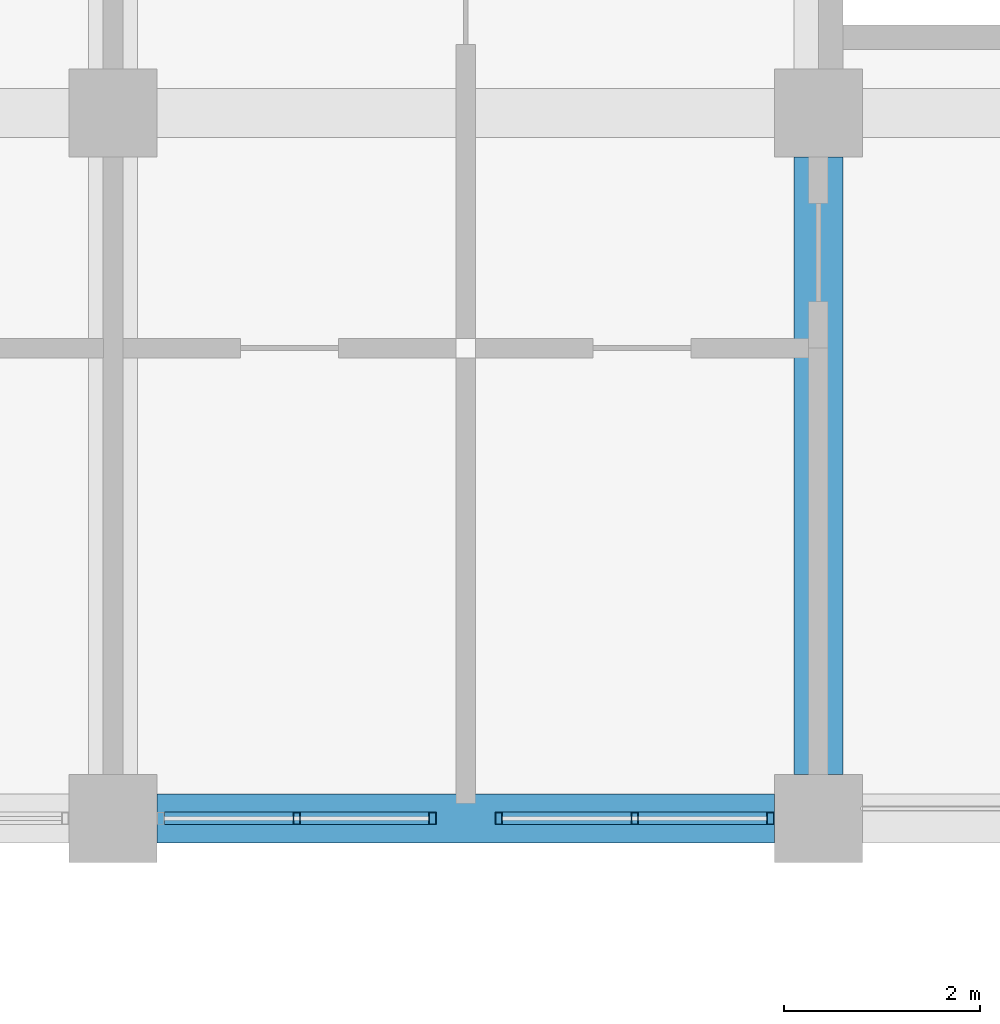
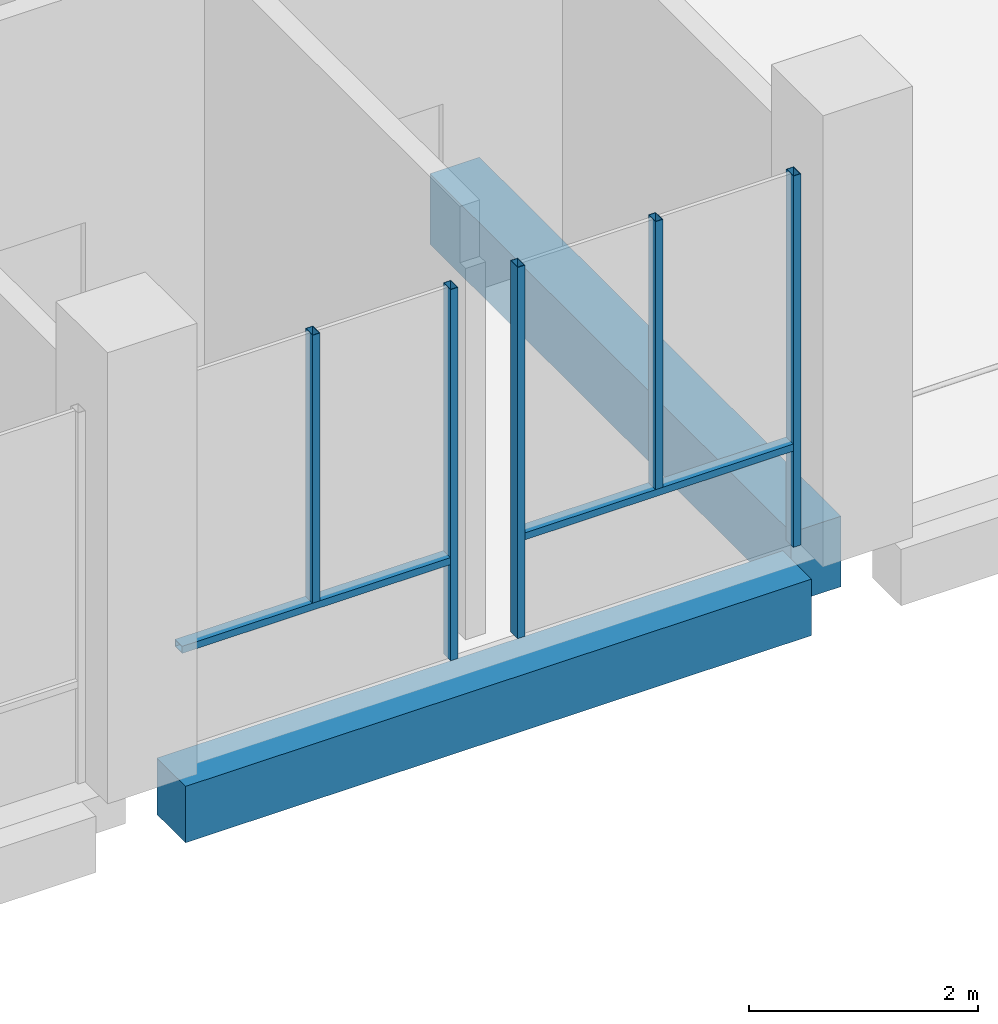
# One storey, part 10 of 30: 7 members, 2 beams, 2 elements without a shape of their own.
"""IFC4 building model written with IfcOpenShell, lengths in metres."""

from ifc_helpers import new_model, si_unit, direction, frame, origin, origin_2d, place, context, subcontext, project, spatial, rectangle, hollow_rectangle, extrude, material, material_profile, profile_set, type_object, element, aggregate, save


model = new_model("IFC4")

# Units and contexts
model_context = context("Model", 3, precision=1e-05, world=origin(), true_north=direction((0.0, 1.0)))
body_context = subcontext(model_context, "Body", "Model", "MODEL_VIEW")
ifc_project = project(units=[si_unit("LENGTHUNIT", "METRE"), si_unit("AREAUNIT", "SQUARE_METRE"), si_unit("VOLUMEUNIT", "CUBIC_METRE"), si_unit("PLANEANGLEUNIT", "RADIAN"), si_unit("MASSUNIT", "GRAM", prefix="KILO")], contexts=[model_context])

# Site, building, storey
site_placement = place(None, origin())
site = spatial("IfcSite", under=ifc_project, at=site_placement, CompositionType="ELEMENT")
building_placement = place(site_placement, origin())
building = spatial("IfcBuilding", under=site, at=building_placement, Name="Silangan Lancet Faculty of Sciences", CompositionType="ELEMENT")
storey_placement = place(building_placement, frame((0.0, 0.0, 31.199951171875)))
storey = spatial("IfcBuildingStorey", under=building, at=storey_placement, Name="L06", CompositionType="ELEMENT", Elevation=31.199951171875)

# Beams
ifc_material_1 = material(Name="Concrete C40/50", Category="concrete")
ifc_material_profile_1 = material_profile(ifc_material_1, rectangle(XDim=0.5, YDim=0.60009765625, at=origin_2d()), Name="RC 500x600")
ifc_profile_set_1 = profile_set([ifc_material_profile_1], Name="Concrete C40/50")
beam_type_1 = type_object("IfcBeamType", Name="BEAM RC 500x600", PredefinedType="BEAM", material=ifc_profile_set_1)
beam_1_placement = place(storey_placement, frame((14.85009765625, 36.0, -0.550048828125), z_axis=(1.0, 0.0, 0.0), x_axis=(0.0, 1.0, 0.0)))
element("IfcBeam", 1, at=beam_1_placement, inside=storey, type_object=beam_type_1, Name="BM-L06-3F-4F", PredefinedType="BEAM", context=body_context, shape_type="SweptSolid", body=[
    extrude(rectangle(XDim=0.5, YDim=0.60009765625, at=origin_2d()), origin(), (0.0, 0.0, 1.0), 6.2998046875),
])
ifc_material_2 = material(Name="Concrete C40/50", Category="concrete")
ifc_material_profile_2 = material_profile(ifc_material_2, rectangle(XDim=0.5, YDim=0.75, at=origin_2d()), Name="RC 500x750")
ifc_profile_set_2 = profile_set([ifc_material_profile_2], Name="Concrete C40/50")
beam_type_2 = type_object("IfcBeamType", Name="BEAM RC 500x750", PredefinedType="BEAM", material=ifc_profile_set_2)
beam_2_placement = place(storey_placement, frame((21.60009765625, 36.449951171875, -0.625), z_axis=(0.0, 1.0, 0.0), x_axis=(-1.0, 0.0, 0.0)))
element("IfcBeam", 2, at=beam_2_placement, inside=storey, type_object=beam_type_2, Name="BM-L06-4F-4G", PredefinedType="BEAM", context=body_context, shape_type="SweptSolid", body=[
    extrude(rectangle(XDim=0.5, YDim=0.75, at=origin_2d()), origin(), (0.0, 0.0, 1.0), 6.300048828125),
])

# Curtain wall, members
ifc_material_3 = material(Name="Aluminium framed curtain wall with insulated glass", Category="aluminium")
curtain_wall_type = type_object("IfcCurtainWallType", Name="CW2 Atrium fire-resisting screen", PredefinedType="NOTDEFINED", material=ifc_material_3)
curtain_wall_1_placement = place(storey_placement, origin())
curtain_wall_1 = element("IfcCurtainWall", 3, at=curtain_wall_1_placement, inside=storey, type_object=curtain_wall_type, Name="CW2 Atrium north L06 bay 5", PredefinedType="NOTDEFINED")
ifc_material_4 = material(Name="Steel S355J2H", Category="steel")
ifc_material_profile_3 = material_profile(ifc_material_4, hollow_rectangle(XDim=0.074951171875, YDim=0.125, WallThickness=0.0048828125, at=origin_2d()), Name="ST BOX 75x125x5")
ifc_profile_set_3 = profile_set([ifc_material_profile_3], Name="Steel S355J2H")
member_type_1 = type_object("IfcMemberType", Name="CM2 Mullion 75x125", PredefinedType="MULLION", material=ifc_profile_set_3)
member_1_placement = place(storey_placement, frame((17.66259765625, 36.0, 0.0), z_axis=(0.0, 0.0, 1.0), x_axis=(1.0, 0.0, 0.0)))
member_1 = element("IfcMember", 4, at=member_1_placement, type_object=member_type_1, Name="CW2 Atrium north L06 bay 5 mullion 2", PredefinedType="MULLION", context=body_context, shape_type="SweptSolid", body=[
    extrude(hollow_rectangle(XDim=0.074951171875, YDim=0.125, WallThickness=0.0048828125, at=origin_2d()), origin(), (0.0, 0.0, 1.0), 3.949951171875),
])
member_2_placement = place(storey_placement, frame((16.27490234375, 36.0, 1.10009765625), z_axis=(0.0, 0.0, 1.0), x_axis=(1.0, 0.0, 0.0)))
member_2 = element("IfcMember", 5, at=member_2_placement, type_object=member_type_1, Name="CW2 Atrium north L06 bay 5 mullion 3", PredefinedType="MULLION", context=body_context, shape_type="SweptSolid", body=[
    extrude(hollow_rectangle(XDim=0.074951171875, YDim=0.125, WallThickness=0.0048828125, at=origin_2d()), origin(), (0.0, 0.0, 1.0), 2.849853515625),
])

curtain_wall_2_placement = place(storey_placement, origin())
curtain_wall_2 = element("IfcCurtainWall", 6, at=curtain_wall_2_placement, inside=storey, type_object=curtain_wall_type, Name="CW2 Atrium north L06 bay 6", PredefinedType="NOTDEFINED")
member_3_placement = place(storey_placement, frame((18.33740234375, 36.0, 0.0), z_axis=(0.0, 0.0, 1.0), x_axis=(1.0, 0.0, 0.0)))
member_3 = element("IfcMember", 7, at=member_3_placement, type_object=member_type_1, Name="CW2 Atrium north L06 bay 6 mullion 1", PredefinedType="MULLION", context=body_context, shape_type="SweptSolid", body=[
    extrude(hollow_rectangle(XDim=0.074951171875, YDim=0.125, WallThickness=0.0048828125, at=origin_2d()), origin(), (0.0, 0.0, 1.0), 3.949951171875),
])
member_4_placement = place(storey_placement, frame((21.112548828125, 36.0, 0.0), z_axis=(0.0, 0.0, 1.0), x_axis=(1.0, 0.0, 0.0)))
member_4 = element("IfcMember", 8, at=member_4_placement, type_object=member_type_1, Name="CW2 Atrium north L06 bay 6 mullion 2", PredefinedType="MULLION", context=body_context, shape_type="SweptSolid", body=[
    extrude(hollow_rectangle(XDim=0.074951171875, YDim=0.125, WallThickness=0.0048828125, at=origin_2d()), origin(), (0.0, 0.0, 1.0), 3.949951171875),
])
member_5_placement = place(storey_placement, frame((19.72509765625, 36.0, 1.10009765625), z_axis=(0.0, 0.0, 1.0), x_axis=(1.0, 0.0, 0.0)))
member_5 = element("IfcMember", 9, at=member_5_placement, type_object=member_type_1, Name="CW2 Atrium north L06 bay 6 mullion 3", PredefinedType="MULLION", context=body_context, shape_type="SweptSolid", body=[
    extrude(hollow_rectangle(XDim=0.074951171875, YDim=0.125, WallThickness=0.0048828125, at=origin_2d()), origin(), (0.0, 0.0, 1.0), 2.849853515625),
])

# Member
ifc_material_5 = material(Name="Steel S355J2H", Category="steel")
ifc_material_profile_4 = material_profile(ifc_material_5, hollow_rectangle(XDim=0.125, YDim=0.074951171875, WallThickness=0.0048828125, at=origin_2d()), Name="ST BOX 125x75x5")
ifc_profile_set_4 = profile_set([ifc_material_profile_4], Name="Steel S355J2H")
member_type_2 = type_object("IfcMemberType", Name="CT2 Transom 125x75", PredefinedType="USERDEFINED", material=ifc_profile_set_4)
member_6_placement = place(storey_placement, frame((14.925048828125, 36.0, 1.0625), z_axis=(1.0, 0.0, 0.0), x_axis=(0.0, 1.0, 0.0)))
member_6 = element("IfcMember", 10, at=member_6_placement, type_object=member_type_2, Name="CW2 Atrium north L06 bay 5 transom 1", ObjectType="TRANSOM", PredefinedType="USERDEFINED", context=body_context, shape_type="SweptSolid", body=[
    extrude(hollow_rectangle(XDim=0.125, YDim=0.074951171875, WallThickness=0.0048828125, at=origin_2d()), origin(), (0.0, 0.0, 1.0), 2.699951171875),
])

aggregate(curtain_wall_1, [member_1, member_2, member_6])

member_7_placement = place(storey_placement, frame((18.375, 36.0, 1.0625), z_axis=(1.0, 0.0, 0.0), x_axis=(0.0, 1.0, 0.0)))
member_7 = element("IfcMember", 11, at=member_7_placement, type_object=member_type_2, Name="CW2 Atrium north L06 bay 6 transom 1", ObjectType="TRANSOM", PredefinedType="USERDEFINED", context=body_context, shape_type="SweptSolid", body=[
    extrude(hollow_rectangle(XDim=0.125, YDim=0.074951171875, WallThickness=0.0048828125, at=origin_2d()), origin(), (0.0, 0.0, 1.0), 2.699951171875),
])

aggregate(curtain_wall_2, [member_3, member_4, member_5, member_7])

save(model, "model.ifc")
